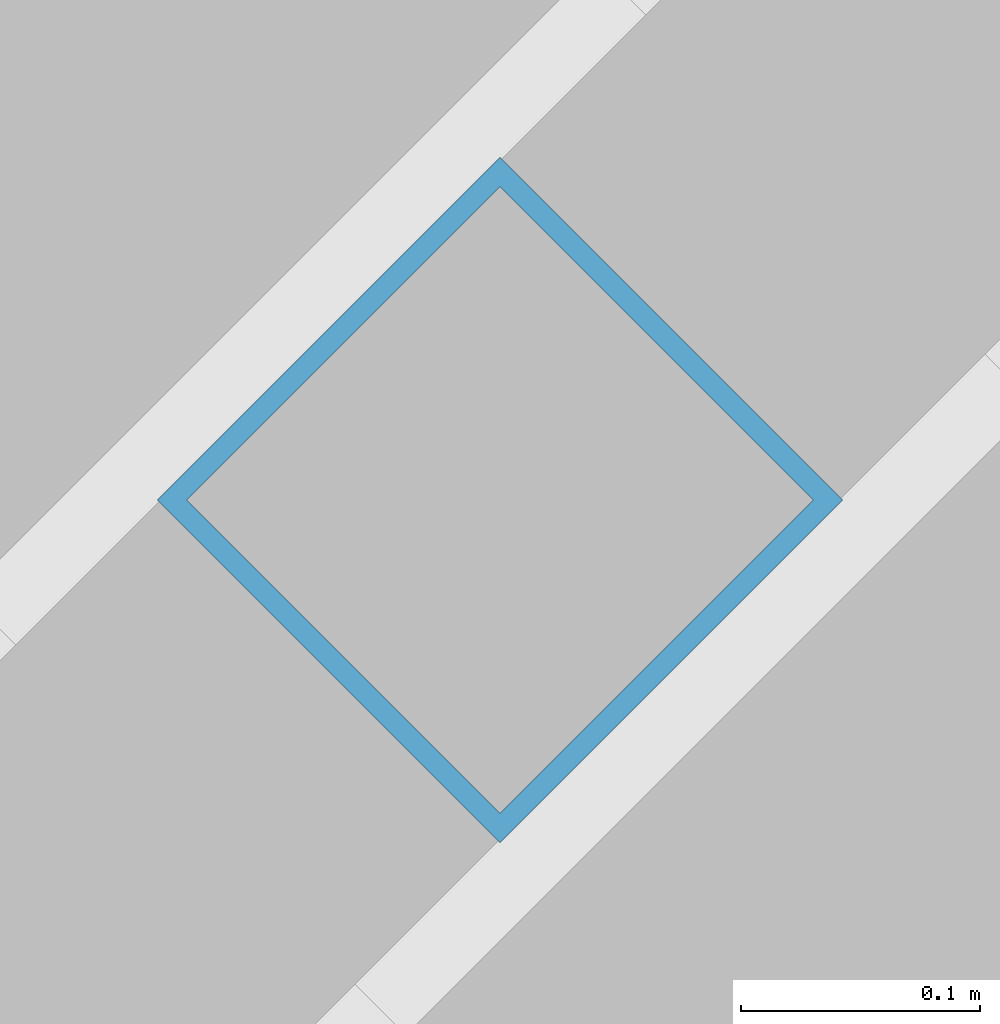
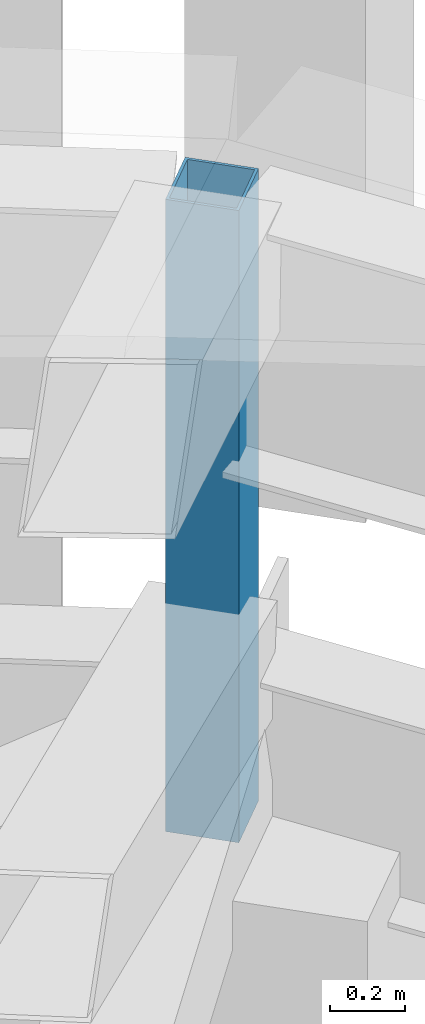
# One storey, part 104 of 278: 1 beam.
"""IFC4 building model written with IfcOpenShell, lengths in metres."""

from ifc_helpers import new_model, si_unit, direction, frame, origin, origin_2d, place, context, subcontext, project, spatial, hollow_rectangle, extrude, material, material_profile, profile_set, type_object, element, save


model = new_model("IFC4")

# Units and contexts
model_context = context("Model", 3, precision=1e-05, world=origin(), true_north=direction((0.0, 1.0)))
body_context = subcontext(model_context, "Body", "Model", "MODEL_VIEW")
ifc_project = project(units=[si_unit("LENGTHUNIT", "METRE"), si_unit("AREAUNIT", "SQUARE_METRE"), si_unit("VOLUMEUNIT", "CUBIC_METRE"), si_unit("PLANEANGLEUNIT", "RADIAN"), si_unit("MASSUNIT", "GRAM", prefix="KILO")], contexts=[model_context])

# Site, building, storey
site_placement = place(None, origin())
site = spatial("IfcSite", under=ifc_project, at=site_placement, CompositionType="ELEMENT")
building_placement = place(site_placement, origin())
building = spatial("IfcBuilding", under=site, at=building_placement, Name="Ogive Plaza Stadium", CompositionType="ELEMENT")
storey_placement = place(building_placement, frame((0.0, 0.0, 29.0)))
storey = spatial("IfcBuildingStorey", under=building, at=storey_placement, Name="Roof", CompositionType="ELEMENT", Elevation=29.0)

# Beam
ifc_material = material(Name="Steel ASTM A500 Grade C", Category="steel")
ifc_material_profile = material_profile(ifc_material, hollow_rectangle(XDim=0.203125, YDim=0.203125, WallThickness=0.0087890625, at=origin_2d()), Name="HSS8X8X3/8")
ifc_profile_set = profile_set([ifc_material_profile], Name="Steel ASTM A500 Grade C")
beam_type = type_object("IfcBeamType", Name="Roof truss post HSS8X8X3/8", PredefinedType="BEAM", material=ifc_profile_set)
beam_placement = place(storey_placement, frame((69.355224609375, 87.855224609375, 3.43994140625), z_axis=(0.0, 0.0, 1.0), x_axis=(-0.707106781187, 0.707106781187, 0.0)))
element("IfcBeam", 1, at=beam_placement, inside=storey, type_object=beam_type, Name="ROOF TRUSS T39 POST 12", PredefinedType="BEAM", context=body_context, shape_type="SweptSolid", body=[
    extrude(hollow_rectangle(XDim=0.203125, YDim=0.203125, WallThickness=0.0087890625, at=origin_2d()), origin(), (0.0, 0.0, 1.0), 2.06005859375),
])

save(model, "model.ifc")
